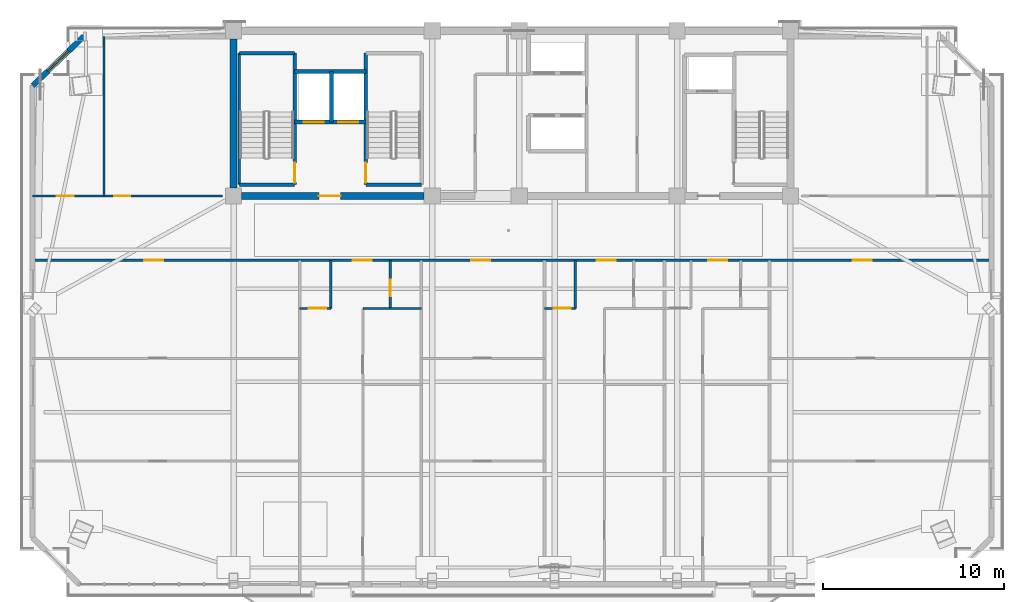
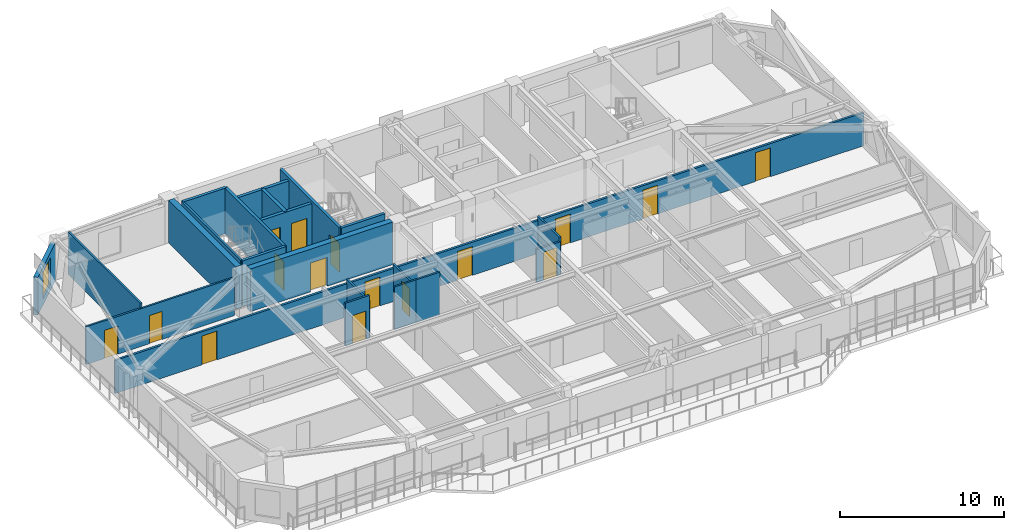
# One storey, part 9 of 18: 22 walls, 16 doors, 1 window, 17 openings.
"""IFC4 building model written with IfcOpenShell, lengths in metres."""

from ifc_helpers import new_model, si_unit, direction, frame, frame_2d, origin, place, context, subcontext, project, spatial, rectangle, extrude, source, transform, mapped, material, layer, layer_set, type_object, element, fill, save


model = new_model("IFC4")

# Units and contexts
model_context = context("Model", 3, precision=1e-05, world=origin(), true_north=direction((0.0, 1.0)))
body_context = subcontext(model_context, "Body", "Model", "MODEL_VIEW")
ifc_project = project(units=[si_unit("LENGTHUNIT", "METRE"), si_unit("AREAUNIT", "SQUARE_METRE"), si_unit("VOLUMEUNIT", "CUBIC_METRE"), si_unit("PLANEANGLEUNIT", "RADIAN"), si_unit("MASSUNIT", "GRAM", prefix="KILO")], contexts=[model_context])

# Site, building, storey
site_placement = place(None, origin())
site = spatial("IfcSite", under=ifc_project, at=site_placement, CompositionType="ELEMENT")
building_placement = place(site_placement, origin())
building = spatial("IfcBuilding", under=site, at=building_placement, Name="Giltprow Tower", CompositionType="ELEMENT")
storey_placement = place(building_placement, frame((0.0, 0.0, 265.5)))
storey = spatial("IfcBuildingStorey", under=building, at=storey_placement, Name="L68", CompositionType="ELEMENT", Elevation=265.5)

# Wall, opening, window
ifc_material_1 = material(Name="Precast concrete C40", Category="concrete")
ifc_layer_1 = layer(ifc_material_1, 0.300048828125, Name="Precast concrete C40")
ifc_layer_set_1 = layer_set([ifc_layer_1], Name="Precast concrete C40")
wall_type_1 = type_object("IfcWallType", Name="EW-NOTCH-CHAMFER-300", PredefinedType="SOLIDWALL", material=ifc_layer_set_1)
wall_1_placement = place(storey_placement, frame((11.597900390625, 46.25, 0.0), z_axis=(0.0, 0.0, 1.0), x_axis=(-0.719615137371, -0.694373137489, 0.0)))
wall_1 = element("IfcWall", 1, at=wall_1_placement, inside=storey, type_object=wall_type_1, Name="L68 Corner Notch Wall NW", PredefinedType="SOLIDWALL", context=body_context, shape_type="SweptSolid", body=[
    extrude(rectangle(XDim=3.917236328125, YDim=0.300048828125, at=frame_2d((1.95849609375, 0.0))), origin(), (0.0, 0.0, 1.0), 2.81494140625),
])
opening_1_placement = place(wall_1_placement, frame((1.158935546875, 0.0, 0.449951171875)))
opening_1 = element("IfcOpeningElement", 2, at=opening_1_placement, cuts=wall_1, Name="Opening WN17", PredefinedType="OPENING", context=body_context, shape_type="SweptSolid", body=[
    extrude(rectangle(XDim=1.60009765625, YDim=2.0, at=frame_2d((0.800048828125, 1.0))), frame((0.0, 0.159912109375, 0.0), z_axis=(0.0, -1.0, 0.0), x_axis=(1.0, 0.0, 0.0)), (0.0, 0.0, 1.0), 0.320068359375),
])
ifc_material_2 = material(Name="Insulated glass", Category="glass")
window_type = type_object("IfcWindowType", Name="WN-COR-1600x2000", PartitioningType="SINGLE_PANEL", PredefinedType="WINDOW", material=ifc_material_2)
shared_shape_1 = source(origin(), body_context, "Body", "SweptSolid", [
    extrude(rectangle(XDim=1.60009765625, YDim=2.0, at=frame_2d((0.800048828125, 1.0))), frame((0.0, 0.030029296875, 0.0), z_axis=(0.0, -1.0, 0.0), x_axis=(1.0, 0.0, 0.0)), (0.0, 0.0, 1.0), 0.06005859375),
])
window_placement = place(opening_1_placement, origin())
window = element("IfcWindow", 3, at=window_placement, inside=storey, type_object=window_type, Name="L68 Corner Notch Window NW", OverallHeight=2.0, OverallWidth=1.60009765625, PartitioningType="SINGLE_PANEL", PredefinedType="WINDOW", context=body_context, shape_type="MappedRepresentation", body=[
    mapped(shared_shape_1, transform((0.0, 0.0, 0.0), x_axis=(1.0, 0.0, 0.0), y_axis=(0.0, 1.0, 0.0), z_axis=(0.0, 0.0, 1.0), scale=1.0)),
])
fill(opening_1, window)

# Wall, openings, doors
ifc_material_3 = material(Name="Gypsum stud partition", Category="gypsum")
ifc_layer_2 = layer(ifc_material_3, 0.14990234375, Name="Gypsum stud partition")
ifc_layer_set_2 = layer_set([ifc_layer_2], Name="Gypsum stud partition")
wall_type_2 = type_object("IfcWallType", Name="IW-CORR-150", PredefinedType="PARTITIONING", material=ifc_layer_set_2)
wall_2_placement = place(storey_placement, frame((8.779052734375, 33.89990234375, 0.0), z_axis=(0.0, 0.0, 1.0), x_axis=(1.0, 0.0, 0.0)))
wall_2 = element("IfcWall", 4, at=wall_2_placement, inside=storey, type_object=wall_type_2, Name="L68 Residence Gallery Corridor Wall", PredefinedType="PARTITIONING", context=body_context, shape_type="SweptSolid", body=[
    extrude(rectangle(XDim=52.843017578125, YDim=0.14990234375, at=frame_2d((26.42138671875, 0.0))), origin(), (0.0, 0.0, 1.0), 2.469970703125),
])
opening_2_placement = place(wall_2_placement, frame((6.14404296875, 0.0, 0.0)))
opening_2 = element("IfcOpeningElement", 5, at=opening_2_placement, cuts=wall_2, Name="Opening ID31", PredefinedType="OPENING", context=body_context, shape_type="SweptSolid", body=[
    extrude(rectangle(XDim=1.050048828125, YDim=2.14990234375, at=frame_2d((0.52490234375, 1.074951171875))), frame((0.0, 0.0849609375, 0.0), z_axis=(0.0, -1.0, 0.0), x_axis=(1.0, 0.0, 0.0)), (0.0, 0.0, 1.0), 0.169921875),
])
opening_3_placement = place(wall_2_placement, frame((17.64599609375, 0.0, 0.0)))
opening_3 = element("IfcOpeningElement", 6, at=opening_3_placement, cuts=wall_2, Name="Opening ID31", PredefinedType="OPENING", context=body_context, shape_type="SweptSolid", body=[
    extrude(rectangle(XDim=1.050048828125, YDim=2.14990234375, at=frame_2d((0.52490234375, 1.074951171875))), frame((0.0, 0.0849609375, 0.0), z_axis=(0.0, -1.0, 0.0), x_axis=(1.0, 0.0, 0.0)), (0.0, 0.0, 1.0), 0.169921875),
])
opening_4_placement = place(wall_2_placement, frame((24.174072265625, 0.0, 0.0)))
opening_4 = element("IfcOpeningElement", 7, at=opening_4_placement, cuts=wall_2, Name="Opening ID31", PredefinedType="OPENING", context=body_context, shape_type="SweptSolid", body=[
    extrude(rectangle(XDim=1.050048828125, YDim=2.14990234375, at=frame_2d((0.52490234375, 1.074951171875))), frame((0.0, 0.0849609375, 0.0), z_axis=(0.0, -1.0, 0.0), x_axis=(1.0, 0.0, 0.0)), (0.0, 0.0, 1.0), 0.169921875),
])
opening_5_placement = place(wall_2_placement, frame((31.095947265625, 0.0, 0.0)))
opening_5 = element("IfcOpeningElement", 8, at=opening_5_placement, cuts=wall_2, Name="Opening ID31", PredefinedType="OPENING", context=body_context, shape_type="SweptSolid", body=[
    extrude(rectangle(XDim=1.050048828125, YDim=2.14990234375, at=frame_2d((0.52490234375, 1.074951171875))), frame((0.0, 0.0849609375, 0.0), z_axis=(0.0, -1.0, 0.0), x_axis=(1.0, 0.0, 0.0)), (0.0, 0.0, 1.0), 0.169921875),
])
opening_6_placement = place(wall_2_placement, frame((37.240966796875, 0.0, 0.0)))
opening_6 = element("IfcOpeningElement", 9, at=opening_6_placement, cuts=wall_2, Name="Opening ID31", PredefinedType="OPENING", context=body_context, shape_type="SweptSolid", body=[
    extrude(rectangle(XDim=1.050048828125, YDim=2.14990234375, at=frame_2d((0.52490234375, 1.074951171875))), frame((0.0, 0.0849609375, 0.0), z_axis=(0.0, -1.0, 0.0), x_axis=(1.0, 0.0, 0.0)), (0.0, 0.0, 1.0), 0.169921875),
])
opening_7_placement = place(wall_2_placement, frame((45.200927734375, 0.0, 0.0)))
opening_7 = element("IfcOpeningElement", 10, at=opening_7_placement, cuts=wall_2, Name="Opening ID31", PredefinedType="OPENING", context=body_context, shape_type="SweptSolid", body=[
    extrude(rectangle(XDim=1.050048828125, YDim=2.14990234375, at=frame_2d((0.52490234375, 1.074951171875))), frame((0.0, 0.0849609375, 0.0), z_axis=(0.0, -1.0, 0.0), x_axis=(1.0, 0.0, 0.0)), (0.0, 0.0, 1.0), 0.169921875),
])
ifc_material_4 = material(Name="Engineered timber", Category="wood")
door_type_1 = type_object("IfcDoorType", Name="DR-SUITE-1050", OperationType="SINGLE_SWING_LEFT", PredefinedType="DOOR", material=ifc_material_4)
shared_shape_2 = source(origin(), body_context, "Body", "SweptSolid", [
    extrude(rectangle(XDim=1.050048828125, YDim=2.14990234375, at=frame_2d((0.52490234375, 1.074951171875))), frame((0.0, 0.02490234375, 0.0), z_axis=(0.0, -1.0, 0.0), x_axis=(1.0, 0.0, 0.0)), (0.0, 0.0, 1.0), 0.050048828125),
])
door_1_placement = place(opening_2_placement, origin())
door_1 = element("IfcDoor", 11, at=door_1_placement, inside=storey, type_object=door_type_1, Name="L68 Residents Board Meeting Room 1 North Door", OperationType="SINGLE_SWING_RIGHT", OverallHeight=2.14990234375, OverallWidth=1.050048828125, PredefinedType="DOOR", context=body_context, shape_type="MappedRepresentation", body=[
    mapped(shared_shape_2, transform((0.0, 0.0, 0.0), x_axis=(1.0, 0.0, 0.0), y_axis=(0.0, 1.0, 0.0), z_axis=(0.0, 0.0, 1.0), scale=1.0)),
])
fill(opening_2, door_1)
door_2_placement = place(opening_3_placement, origin())
door_2 = element("IfcDoor", 12, at=door_2_placement, inside=storey, type_object=door_type_1, Name="L68 Unit 1 Entrance Door", OperationType="SINGLE_SWING_LEFT", OverallHeight=2.14990234375, OverallWidth=1.050048828125, PredefinedType="DOOR", context=body_context, shape_type="MappedRepresentation", body=[
    mapped(shared_shape_2, transform((0.0, 0.0, 0.0), x_axis=(1.0, 0.0, 0.0), y_axis=(0.0, 1.0, 0.0), z_axis=(0.0, 0.0, 1.0), scale=1.0)),
])
fill(opening_3, door_2)
door_3_placement = place(opening_4_placement, origin())
door_3 = element("IfcDoor", 13, at=door_3_placement, inside=storey, type_object=door_type_1, Name="L68 Briefing Meeting Room 2 North Door", OperationType="SINGLE_SWING_RIGHT", OverallHeight=2.14990234375, OverallWidth=1.050048828125, PredefinedType="DOOR", context=body_context, shape_type="MappedRepresentation", body=[
    mapped(shared_shape_2, transform((0.0, 0.0, 0.0), x_axis=(1.0, 0.0, 0.0), y_axis=(0.0, 1.0, 0.0), z_axis=(0.0, 0.0, 1.0), scale=1.0)),
])
fill(opening_4, door_3)
door_4_placement = place(opening_5_placement, origin())
door_4 = element("IfcDoor", 14, at=door_4_placement, inside=storey, type_object=door_type_1, Name="L68 Unit 2 Entrance Door", OperationType="SINGLE_SWING_LEFT", OverallHeight=2.14990234375, OverallWidth=1.050048828125, PredefinedType="DOOR", context=body_context, shape_type="MappedRepresentation", body=[
    mapped(shared_shape_2, transform((0.0, 0.0, 0.0), x_axis=(1.0, 0.0, 0.0), y_axis=(0.0, 1.0, 0.0), z_axis=(0.0, 0.0, 1.0), scale=1.0)),
])
fill(opening_5, door_4)
door_5_placement = place(opening_6_placement, origin())
door_5 = element("IfcDoor", 15, at=door_5_placement, inside=storey, type_object=door_type_1, Name="L68 Unit 3 Entrance Door", OperationType="SINGLE_SWING_RIGHT", OverallHeight=2.14990234375, OverallWidth=1.050048828125, PredefinedType="DOOR", context=body_context, shape_type="MappedRepresentation", body=[
    mapped(shared_shape_2, transform((0.0, 0.0, 0.0), x_axis=(1.0, 0.0, 0.0), y_axis=(0.0, 1.0, 0.0), z_axis=(0.0, 0.0, 1.0), scale=1.0)),
])
fill(opening_6, door_5)
door_6_placement = place(opening_7_placement, origin())
door_6 = element("IfcDoor", 16, at=door_6_placement, inside=storey, type_object=door_type_1, Name="L68 Screening Meeting Room 3 North Door", OperationType="SINGLE_SWING_LEFT", OverallHeight=2.14990234375, OverallWidth=1.050048828125, PredefinedType="DOOR", context=body_context, shape_type="MappedRepresentation", body=[
    mapped(shared_shape_2, transform((0.0, 0.0, 0.0), x_axis=(1.0, 0.0, 0.0), y_axis=(0.0, 1.0, 0.0), z_axis=(0.0, 0.0, 1.0), scale=1.0)),
])
fill(opening_7, door_6)

# Wall
ifc_layer_3 = layer(ifc_material_3, 0.1201171875, Name="Gypsum stud partition")
ifc_layer_set_3 = layer_set([ifc_layer_3], Name="Gypsum stud partition")
wall_type_3 = type_object("IfcWallType", Name="IW-ROOM-120", PredefinedType="PARTITIONING", material=ifc_layer_set_3)
wall_3_placement = place(storey_placement, frame((26.97998046875, 31.25, 0.0), z_axis=(0.0, 0.0, 1.0), x_axis=(1.0, 0.0, 0.0)))
element("IfcWall", 17, at=wall_3_placement, inside=storey, type_object=wall_type_3, Name="L68 Unit 1 Bedroom North Wall", PredefinedType="PARTITIONING", context=body_context, shape_type="SweptSolid", body=[
    extrude(rectangle(XDim=1.505126953125, YDim=0.1201171875, at=frame_2d((0.75244140625, 0.0))), origin(), (0.0, 0.0, 1.0), 3.18505859375),
])

# Wall, openings, doors
ifc_material_5 = material(Name="Concrete C40", Category="concrete")
ifc_layer_4 = layer(ifc_material_5, 0.219970703125, Name="Concrete C40")
ifc_layer_set_4 = layer_set([ifc_layer_4], Name="Concrete C40")
wall_type_4 = type_object("IfcWallType", Name="IW-SHAFT-220", PredefinedType="SOLIDWALL", material=ifc_layer_set_4)
wall_4_placement = place(storey_placement, frame((23.219970703125, 41.52001953125, 0.0), z_axis=(0.0, 0.0, 1.0), x_axis=(1.0, 0.0, 0.0)))
wall_4 = element("IfcWall", 18, at=wall_4_placement, inside=storey, type_object=wall_type_4, Name="L68 FFL1 and Service Lift Front Wall", PredefinedType="SOLIDWALL", context=body_context, shape_type="SweptSolid", body=[
    extrude(rectangle(XDim=3.919921875, YDim=0.219970703125, at=frame_2d((1.9599609375, 0.0))), origin(), (0.0, 0.0, 1.0), 3.18505859375),
])
opening_8_placement = place(wall_4_placement, frame((0.5, 0.0, 0.0)))
opening_8 = element("IfcOpeningElement", 19, at=opening_8_placement, cuts=wall_4, Name="Opening LD-11", PredefinedType="OPENING", context=body_context, shape_type="SweptSolid", body=[
    extrude(rectangle(XDim=1.10009765625, YDim=2.199951171875, at=frame_2d((0.550048828125, 1.10009765625))), frame((0.0, 0.119873046875, 0.0), z_axis=(0.0, -1.0, 0.0), x_axis=(1.0, 0.0, 0.0)), (0.0, 0.0, 1.0), 0.239990234375),
])
opening_9_placement = place(wall_4_placement, frame((2.39990234375, 0.0, 0.0)))
opening_9 = element("IfcOpeningElement", 20, at=opening_9_placement, cuts=wall_4, Name="Opening LD-11", PredefinedType="OPENING", context=body_context, shape_type="SweptSolid", body=[
    extrude(rectangle(XDim=1.10009765625, YDim=2.199951171875, at=frame_2d((0.550048828125, 1.10009765625))), frame((0.0, 0.119873046875, 0.0), z_axis=(0.0, -1.0, 0.0), x_axis=(1.0, 0.0, 0.0)), (0.0, 0.0, 1.0), 0.239990234375),
])
ifc_material_6 = material(Name="Stainless steel", Category="steel")
door_type_2 = type_object("IfcDoorType", Name="DR-LIFT-LD1100", OperationType="SLIDING_TO_LEFT", PredefinedType="DOOR", material=ifc_material_6)
shared_shape_3 = source(origin(), body_context, "Body", "SweptSolid", [
    extrude(rectangle(XDim=1.10009765625, YDim=2.199951171875, at=frame_2d((0.550048828125, 1.10009765625))), frame((0.0, 0.02490234375, 0.0), z_axis=(0.0, -1.0, 0.0), x_axis=(1.0, 0.0, 0.0)), (0.0, 0.0, 1.0), 0.050048828125),
])
door_7_placement = place(opening_8_placement, origin())
door_7 = element("IfcDoor", 21, at=door_7_placement, inside=storey, type_object=door_type_2, Name="L68 FFL1 Landing Door", OperationType="SLIDING_TO_LEFT", OverallHeight=2.199951171875, OverallWidth=1.10009765625, PredefinedType="DOOR", context=body_context, shape_type="MappedRepresentation", body=[
    mapped(shared_shape_3, transform((0.0, 0.0, 0.0), x_axis=(1.0, 0.0, 0.0), y_axis=(0.0, 1.0, 0.0), z_axis=(0.0, 0.0, 1.0), scale=1.0)),
])
fill(opening_8, door_7)
door_8_placement = place(opening_9_placement, origin())
door_8 = element("IfcDoor", 22, at=door_8_placement, inside=storey, type_object=door_type_2, Name="L68 SVL1 Landing Door", OperationType="SLIDING_TO_LEFT", OverallHeight=2.199951171875, OverallWidth=1.10009765625, PredefinedType="DOOR", context=body_context, shape_type="MappedRepresentation", body=[
    mapped(shared_shape_3, transform((0.0, 0.0, 0.0), x_axis=(1.0, 0.0, 0.0), y_axis=(0.0, 1.0, 0.0), z_axis=(0.0, 0.0, 1.0), scale=1.0)),
])
fill(opening_9, door_8)

# Walls
wall_5_placement = place(storey_placement, frame((25.260009765625, 41.52001953125, 0.0), z_axis=(0.0, 0.0, 1.0), x_axis=(0.0, 1.0, 0.0)))
element("IfcWall", 23, at=wall_5_placement, inside=storey, type_object=wall_type_4, Name="L68 FFL1-SVL1 Shaft Divider", PredefinedType="SOLIDWALL", context=body_context, shape_type="SweptSolid", body=[
    extrude(rectangle(XDim=2.800048828125, YDim=0.219970703125, at=frame_2d((1.39990234375, 0.0))), origin(), (0.0, 0.0, 1.0), 3.18505859375),
])
wall_6_placement = place(storey_placement, frame((23.219970703125, 44.320068359375, 0.0), z_axis=(0.0, 0.0, 1.0), x_axis=(1.0, 0.0, 0.0)))
element("IfcWall", 24, at=wall_6_placement, inside=storey, type_object=wall_type_4, Name="L68 FFL1-SVL1 Back Shaft Wall", PredefinedType="SOLIDWALL", context=body_context, shape_type="SweptSolid", body=[
    extrude(rectangle(XDim=3.919921875, YDim=0.219970703125, at=frame_2d((1.9599609375, 0.0))), origin(), (0.0, 0.0, 1.0), 3.18505859375),
])
ifc_material_7 = material(Name="Concrete C45", Category="concrete")
ifc_layer_5 = layer(ifc_material_7, 0.139892578125, Name="Concrete C45")
ifc_layer_set_5 = layer_set([ifc_layer_5], Name="Concrete C45")
wall_type_5 = type_object("IfcWallType", Name="IW-STAIR-140", PredefinedType="SOLIDWALL", material=ifc_layer_set_5)
wall_7_placement = place(storey_placement, frame((20.169921875, 38.070068359375, 0.0), z_axis=(0.0, 0.0, 1.0), x_axis=(0.0, 1.0, 0.0)))
element("IfcWall", 25, at=wall_7_placement, inside=storey, type_object=wall_type_5, Name="L68 Stair ST-1 West Bearing Wall", PredefinedType="SOLIDWALL", context=body_context, shape_type="SweptSolid", body=[
    extrude(rectangle(XDim=7.25, YDim=0.139892578125, at=frame_2d((3.625, 0.0))), origin(), (0.0, 0.0, 1.0), 3.39990234375),
])

# Wall, opening, door
ifc_layer_6 = layer(ifc_material_5, 0.199951171875, Name="Concrete C40")
ifc_layer_set_6 = layer_set([ifc_layer_6], Name="Concrete C40")
wall_type_6 = type_object("IfcWallType", Name="IW-STAIR-200", PredefinedType="SOLIDWALL", material=ifc_layer_set_6)
wall_8_placement = place(storey_placement, frame((23.219970703125, 38.070068359375, 0.0), z_axis=(0.0, 0.0, 1.0), x_axis=(0.0, 1.0, 0.0)))
wall_8 = element("IfcWall", 26, at=wall_8_placement, inside=storey, type_object=wall_type_6, Name="L68 Stair ST-1 East Bearing Wall", PredefinedType="SOLIDWALL", context=body_context, shape_type="SweptSolid", body=[
    extrude(rectangle(XDim=7.25, YDim=0.199951171875, at=frame_2d((3.625, 0.0))), origin(), (0.0, 0.0, 1.0), 3.39990234375),
])
opening_10_placement = place(wall_8_placement, frame((0.110107421875, 0.0, 0.0)))
opening_10 = element("IfcOpeningElement", 27, at=opening_10_placement, cuts=wall_8, Name="Opening ID33", PredefinedType="OPENING", context=body_context, shape_type="SweptSolid", body=[
    extrude(rectangle(XDim=1.10009765625, YDim=2.14990234375, at=frame_2d((0.550048828125, 1.074951171875))), frame((0.0, 0.10986328125, 0.0), z_axis=(0.0, -1.0, 0.0), x_axis=(1.0, 0.0, 0.0)), (0.0, 0.0, 1.0), 0.219970703125),
])
ifc_material_8 = material(Name="Steel fire leaf", Category="steel")
door_type_3 = type_object("IfcDoorType", Name="DR-STAIR-1100", OperationType="SINGLE_SWING_LEFT", PredefinedType="DOOR", material=ifc_material_8)
shared_shape_4 = source(origin(), body_context, "Body", "SweptSolid", [
    extrude(rectangle(XDim=1.10009765625, YDim=2.14990234375, at=frame_2d((0.550048828125, 1.074951171875))), frame((0.0, 0.02490234375, 0.0), z_axis=(0.0, -1.0, 0.0), x_axis=(1.0, 0.0, 0.0)), (0.0, 0.0, 1.0), 0.050048828125),
])
door_9_placement = place(opening_10_placement, origin())
door_9 = element("IfcDoor", 28, at=door_9_placement, inside=storey, type_object=door_type_3, Name="L68 Stair ST-1 Fire Door", OperationType="SINGLE_SWING_RIGHT", OverallHeight=2.14990234375, OverallWidth=1.10009765625, PredefinedType="DOOR", context=body_context, shape_type="MappedRepresentation", body=[
    mapped(shared_shape_4, transform((0.0, 0.0, 0.0), x_axis=(1.0, 0.0, 0.0), y_axis=(0.0, 1.0, 0.0), z_axis=(0.0, 0.0, 1.0), scale=1.0)),
])
fill(opening_10, door_9)

# Walls
for number, where, z_axis, x_axis, name in (
    (29, (20.169921875, 45.320068359375, 0.0), (0.0, 0.0, 1.0), (1.0, 0.0, 0.0), "L68 Stair ST-1 North Bearing Wall"),
    (30, (20.169921875, 38.070068359375, 0.0), (0.0, 0.0, 1.0), (1.0, 0.0, 0.0), "L68 Stair ST-1 South Bearing Wall"),
):
    element("IfcWall", number, at=place(storey_placement, frame(where, z_axis=z_axis, x_axis=x_axis)), inside=storey, type_object=wall_type_6, Name=name, PredefinedType="SOLIDWALL", context=body_context, shape_type="SweptSolid", body=[
        extrude(rectangle(XDim=3.050048828125, YDim=0.199951171875, at=frame_2d((1.52490234375, 0.0))), origin(), (0.0, 0.0, 1.0), 3.39990234375),
    ])

# Wall, opening, door
wall_9_placement = place(storey_placement, frame((27.139892578125, 38.070068359375, 0.0), z_axis=(0.0, 0.0, 1.0), x_axis=(0.0, 1.0, 0.0)))
wall_9 = element("IfcWall", 31, at=wall_9_placement, inside=storey, type_object=wall_type_6, Name="L68 Stair ST-2 West Bearing Wall", PredefinedType="SOLIDWALL", context=body_context, shape_type="SweptSolid", body=[
    extrude(rectangle(XDim=7.25, YDim=0.199951171875, at=frame_2d((3.625, 0.0))), origin(), (0.0, 0.0, 1.0), 3.39990234375),
])
opening_11_placement = place(wall_9_placement, frame((0.110107421875, 0.0, 0.0)))
opening_11 = element("IfcOpeningElement", 32, at=opening_11_placement, cuts=wall_9, Name="Opening ID33", PredefinedType="OPENING", context=body_context, shape_type="SweptSolid", body=[
    extrude(rectangle(XDim=1.10009765625, YDim=2.14990234375, at=frame_2d((0.550048828125, 1.074951171875))), frame((0.0, 0.10986328125, 0.0), z_axis=(0.0, -1.0, 0.0), x_axis=(1.0, 0.0, 0.0)), (0.0, 0.0, 1.0), 0.219970703125),
])
door_10_placement = place(opening_11_placement, origin())
door_10 = element("IfcDoor", 33, at=door_10_placement, inside=storey, type_object=door_type_3, Name="L68 Stair ST-2 Fire Door", OperationType="SINGLE_SWING_LEFT", OverallHeight=2.14990234375, OverallWidth=1.10009765625, PredefinedType="DOOR", context=body_context, shape_type="MappedRepresentation", body=[
    mapped(shared_shape_4, transform((0.0, 0.0, 0.0), x_axis=(1.0, 0.0, 0.0), y_axis=(0.0, 1.0, 0.0), z_axis=(0.0, 0.0, 1.0), scale=1.0)),
])
fill(opening_11, door_10)

# Wall
wall_10_placement = place(storey_placement, frame((27.139892578125, 38.070068359375, 0.0), z_axis=(0.0, 0.0, 1.0), x_axis=(1.0, 0.0, 0.0)))
element("IfcWall", 34, at=wall_10_placement, inside=storey, type_object=wall_type_6, Name="L68 Stair ST-2 South Bearing Wall", PredefinedType="SOLIDWALL", context=body_context, shape_type="SweptSolid", body=[
    extrude(rectangle(XDim=3.080078125, YDim=0.199951171875, at=frame_2d((1.5400390625, 0.0))), origin(), (0.0, 0.0, 1.0), 3.39990234375),
])

# Wall, opening, door
ifc_material_9 = material(Name="Concrete C30", Category="concrete")
ifc_layer_7 = layer(ifc_material_9, 0.1298828125, Name="Concrete C30")
ifc_layer_set_7 = layer_set([ifc_layer_7], Name="Concrete C30")
wall_type_7 = type_object("IfcWallType", Name="IW-WET-130", PredefinedType="PARTITIONING", material=ifc_layer_set_7)
wall_11_placement = place(storey_placement, frame((23.5, 31.25, 0.0), z_axis=(0.0, 0.0, 1.0), x_axis=(1.0, 0.0, 0.0)))
wall_11 = element("IfcWall", 35, at=wall_11_placement, inside=storey, type_object=wall_type_7, Name="L68 Unit 1 Kitchen South Wall", PredefinedType="PARTITIONING", context=body_context, shape_type="SweptSolid", body=[
    extrude(rectangle(XDim=1.715087890625, YDim=0.1298828125, at=frame_2d((0.857421875, 0.0))), origin(), (0.0, 0.0, 1.0), 3.18505859375),
])
opening_12_placement = place(wall_11_placement, frame((0.5029296875, 0.0, 0.0)))
opening_12 = element("IfcOpeningElement", 36, at=opening_12_placement, cuts=wall_11, Name="Opening ID11", PredefinedType="OPENING", context=body_context, shape_type="SweptSolid", body=[
    extrude(rectangle(XDim=0.949951171875, YDim=2.10009765625, at=frame_2d((0.47509765625, 1.050048828125))), frame((0.0, 0.074951171875, 0.0), z_axis=(0.0, -1.0, 0.0), x_axis=(1.0, 0.0, 0.0)), (0.0, 0.0, 1.0), 0.14990234375),
])
door_type_4 = type_object("IfcDoorType", Name="DR-ROOM-950", OperationType="SINGLE_SWING_RIGHT", PredefinedType="DOOR", material=ifc_material_4)
shared_shape_5 = source(origin(), body_context, "Body", "SweptSolid", [
    extrude(rectangle(XDim=0.949951171875, YDim=2.10009765625, at=frame_2d((0.47509765625, 1.050048828125))), frame((0.0, 0.02490234375, 0.0), z_axis=(0.0, -1.0, 0.0), x_axis=(1.0, 0.0, 0.0)), (0.0, 0.0, 1.0), 0.050048828125),
])
door_11_placement = place(opening_12_placement, origin())
door_11 = element("IfcDoor", 37, at=door_11_placement, inside=storey, type_object=door_type_4, Name="L68 Unit 1 Kitchen Door", OperationType="SINGLE_SWING_RIGHT", OverallHeight=2.10009765625, OverallWidth=0.949951171875, PredefinedType="DOOR", context=body_context, shape_type="MappedRepresentation", body=[
    mapped(shared_shape_5, transform((0.0, 0.0, 0.0), x_axis=(1.0, 0.0, 0.0), y_axis=(0.0, 1.0, 0.0), z_axis=(0.0, 0.0, 1.0), scale=1.0)),
])
fill(opening_12, door_11)

# Walls
wall_12_placement = place(storey_placement, frame((25.215087890625, 31.25, 0.0), z_axis=(0.0, 0.0, 1.0), x_axis=(0.0, 1.0, 0.0)))
element("IfcWall", 38, at=wall_12_placement, inside=storey, type_object=wall_type_7, Name="L68 Unit 1 Kitchen East Wall", PredefinedType="PARTITIONING", context=body_context, shape_type="SweptSolid", body=[
    extrude(rectangle(XDim=2.64990234375, YDim=0.1298828125, at=frame_2d((1.324951171875, 0.0))), origin(), (0.0, 0.0, 1.0), 2.77001953125),
])
wall_13_placement = place(storey_placement, frame((28.485107421875, 31.25, 0.0), z_axis=(0.0, 0.0, 1.0), x_axis=(1.0, 0.0, 0.0)))
element("IfcWall", 39, at=wall_13_placement, inside=storey, type_object=wall_type_7, Name="L68 Unit 1 Bathroom South Wall", PredefinedType="PARTITIONING", context=body_context, shape_type="SweptSolid", body=[
    extrude(rectangle(XDim=1.71484375, YDim=0.1298828125, at=frame_2d((0.857421875, 0.0))), origin(), (0.0, 0.0, 1.0), 3.18505859375),
])

# Wall, opening, door
wall_14_placement = place(storey_placement, frame((28.485107421875, 31.25, 0.0), z_axis=(0.0, 0.0, 1.0), x_axis=(0.0, 1.0, 0.0)))
wall_14 = element("IfcWall", 40, at=wall_14_placement, inside=storey, type_object=wall_type_7, Name="L68 Unit 1 Bathroom West Wall", PredefinedType="PARTITIONING", context=body_context, shape_type="SweptSolid", body=[
    extrude(rectangle(XDim=2.64990234375, YDim=0.1298828125, at=frame_2d((1.324951171875, 0.0))), origin(), (0.0, 0.0, 1.0), 2.77001953125),
])
opening_13_placement = place(wall_14_placement, frame((0.669921875, 0.0, 0.0)))
opening_13 = element("IfcOpeningElement", 41, at=opening_13_placement, cuts=wall_14, Name="Opening ID15", PredefinedType="OPENING", context=body_context, shape_type="SweptSolid", body=[
    extrude(rectangle(XDim=0.89990234375, YDim=2.10009765625, at=frame_2d((0.449951171875, 1.050048828125))), frame((0.0, 0.074951171875, 0.0), z_axis=(0.0, -1.0, 0.0), x_axis=(1.0, 0.0, 0.0)), (0.0, 0.0, 1.0), 0.14990234375),
])
door_type_5 = type_object("IfcDoorType", Name="DR-WC-900", OperationType="SINGLE_SWING_LEFT", PredefinedType="DOOR", material=ifc_material_4)
shared_shape_6 = source(origin(), body_context, "Body", "SweptSolid", [
    extrude(rectangle(XDim=0.89990234375, YDim=2.10009765625, at=frame_2d((0.449951171875, 1.050048828125))), frame((0.0, 0.02490234375, 0.0), z_axis=(0.0, -1.0, 0.0), x_axis=(1.0, 0.0, 0.0)), (0.0, 0.0, 1.0), 0.050048828125),
])
door_12_placement = place(opening_13_placement, origin())
door_12 = element("IfcDoor", 42, at=door_12_placement, inside=storey, type_object=door_type_5, Name="L68 Unit 1 Bathroom Door", OperationType="SINGLE_SWING_LEFT", OverallHeight=2.10009765625, OverallWidth=0.89990234375, PredefinedType="DOOR", context=body_context, shape_type="MappedRepresentation", body=[
    mapped(shared_shape_6, transform((0.0, 0.0, 0.0), x_axis=(1.0, 0.0, 0.0), y_axis=(0.0, 1.0, 0.0), z_axis=(0.0, 0.0, 1.0), scale=1.0)),
])
fill(opening_13, door_12)

wall_15_placement = place(storey_placement, frame((37.0, 31.25, 0.0), z_axis=(0.0, 0.0, 1.0), x_axis=(1.0, 0.0, 0.0)))
wall_15 = element("IfcWall", 43, at=wall_15_placement, inside=storey, type_object=wall_type_7, Name="L68 Unit 2 Kitchen South Wall", PredefinedType="PARTITIONING", context=body_context, shape_type="SweptSolid", body=[
    extrude(rectangle(XDim=1.68994140625, YDim=0.1298828125, at=frame_2d((0.844970703125, 0.0))), origin(), (0.0, 0.0, 1.0), 2.469970703125),
])
opening_14_placement = place(wall_15_placement, frame((0.489990234375, 0.0, 0.0)))
opening_14 = element("IfcOpeningElement", 44, at=opening_14_placement, cuts=wall_15, Name="Opening ID11", PredefinedType="OPENING", context=body_context, shape_type="SweptSolid", body=[
    extrude(rectangle(XDim=0.949951171875, YDim=2.10009765625, at=frame_2d((0.47509765625, 1.050048828125))), frame((0.0, 0.074951171875, 0.0), z_axis=(0.0, -1.0, 0.0), x_axis=(1.0, 0.0, 0.0)), (0.0, 0.0, 1.0), 0.14990234375),
])
door_13_placement = place(opening_14_placement, origin())
door_13 = element("IfcDoor", 45, at=door_13_placement, inside=storey, type_object=door_type_4, Name="L68 Unit 2 Kitchen Door", OperationType="SINGLE_SWING_RIGHT", OverallHeight=2.10009765625, OverallWidth=0.949951171875, PredefinedType="DOOR", context=body_context, shape_type="MappedRepresentation", body=[
    mapped(shared_shape_5, transform((0.0, 0.0, 0.0), x_axis=(1.0, 0.0, 0.0), y_axis=(0.0, 1.0, 0.0), z_axis=(0.0, 0.0, 1.0), scale=1.0)),
])
fill(opening_14, door_13)

# Wall
wall_16_placement = place(storey_placement, frame((38.68994140625, 31.25, 0.0), z_axis=(0.0, 0.0, 1.0), x_axis=(0.0, 1.0, 0.0)))
element("IfcWall", 46, at=wall_16_placement, inside=storey, type_object=wall_type_7, Name="L68 Unit 2 Kitchen East Wall", PredefinedType="PARTITIONING", context=body_context, shape_type="SweptSolid", body=[
    extrude(rectangle(XDim=2.64990234375, YDim=0.1298828125, at=frame_2d((1.324951171875, 0.0))), origin(), (0.0, 0.0, 1.0), 2.77001953125),
])

# Wall, openings, doors
wall_17_placement = place(storey_placement, frame((8.779052734375, 37.449951171875, 0.0), z_axis=(0.0, 0.0, 1.0), x_axis=(1.0, 0.0, 0.0)))
wall_17 = element("IfcWall", 47, at=wall_17_placement, inside=storey, type_object=wall_type_7, Name="L68 NW Wing South Wall", PredefinedType="PARTITIONING", context=body_context, shape_type="SweptSolid", body=[
    extrude(rectangle(XDim=10.470947265625, YDim=0.1298828125, at=frame_2d((5.2353515625, 0.0))), origin(), (0.0, 0.0, 1.0), 2.820068359375),
])
opening_15_placement = place(wall_17_placement, frame((1.31494140625, 0.0, 0.0)))
opening_15 = element("IfcOpeningElement", 48, at=opening_15_placement, cuts=wall_17, Name="Opening ID11", PredefinedType="OPENING", context=body_context, shape_type="SweptSolid", body=[
    extrude(rectangle(XDim=0.949951171875, YDim=2.10009765625, at=frame_2d((0.47509765625, 1.050048828125))), frame((0.0, 0.074951171875, 0.0), z_axis=(0.0, -1.0, 0.0), x_axis=(1.0, 0.0, 0.0)), (0.0, 0.0, 1.0), 0.14990234375),
])
opening_16_placement = place(wall_17_placement, frame((4.48193359375, 0.0, 0.0)))
opening_16 = element("IfcOpeningElement", 49, at=opening_16_placement, cuts=wall_17, Name="Opening ID15", PredefinedType="OPENING", context=body_context, shape_type="SweptSolid", body=[
    extrude(rectangle(XDim=0.89990234375, YDim=2.10009765625, at=frame_2d((0.449951171875, 1.050048828125))), frame((0.0, 0.074951171875, 0.0), z_axis=(0.0, -1.0, 0.0), x_axis=(1.0, 0.0, 0.0)), (0.0, 0.0, 1.0), 0.14990234375),
])
door_14_placement = place(opening_16_placement, origin())
door_14 = element("IfcDoor", 50, at=door_14_placement, inside=storey, type_object=door_type_5, Name="L68 NW Washroom Door", OperationType="SINGLE_SWING_LEFT", OverallHeight=2.10009765625, OverallWidth=0.89990234375, PredefinedType="DOOR", context=body_context, shape_type="MappedRepresentation", body=[
    mapped(shared_shape_6, transform((0.0, 0.0, 0.0), x_axis=(1.0, 0.0, 0.0), y_axis=(0.0, 1.0, 0.0), z_axis=(0.0, 0.0, 1.0), scale=1.0)),
])
fill(opening_16, door_14)
door_15_placement = place(opening_15_placement, origin())
door_15 = element("IfcDoor", 51, at=door_15_placement, inside=storey, type_object=door_type_4, Name="L68 Residents Study Office West Door", OperationType="SINGLE_SWING_RIGHT", OverallHeight=2.10009765625, OverallWidth=0.949951171875, PredefinedType="DOOR", context=body_context, shape_type="MappedRepresentation", body=[
    mapped(shared_shape_5, transform((0.0, 0.0, 0.0), x_axis=(1.0, 0.0, 0.0), y_axis=(0.0, 1.0, 0.0), z_axis=(0.0, 0.0, 1.0), scale=1.0)),
])
fill(opening_15, door_15)

# Wall
wall_18_placement = place(storey_placement, frame((12.7109375, 37.449951171875, 0.0), z_axis=(0.0, 0.0, 1.0), x_axis=(0.0, 1.0, 0.0)))
element("IfcWall", 52, at=wall_18_placement, inside=storey, type_object=wall_type_7, Name="L68 NW Wing Divider", PredefinedType="PARTITIONING", context=body_context, shape_type="SweptSolid", body=[
    extrude(rectangle(XDim=8.800048828125, YDim=0.1298828125, at=frame_2d((4.39990234375, 0.0))), origin(), (0.0, 0.0, 1.0), 3.18505859375),
])

# Wall, opening, door
ifc_layer_8 = layer(ifc_material_7, 0.39990234375, Name="Concrete C45")
ifc_layer_set_8 = layer_set([ifc_layer_8], Name="Concrete C45")
wall_type_8 = type_object("IfcWallType", Name="SW-INT-400-C45", PredefinedType="SHEAR", material=ifc_layer_set_8)
wall_19_placement = place(storey_placement, frame((20.300048828125, 37.449951171875, 0.0), z_axis=(0.0, 0.0, 1.0), x_axis=(1.0, 0.0, 0.0)))
wall_19 = element("IfcWall", 53, at=wall_19_placement, inside=storey, type_object=wall_type_8, Name="L68 South Rear Core Shear Wall West", PredefinedType="SHEAR", context=body_context, shape_type="SweptSolid", body=[
    extrude(rectangle(XDim=10.050048828125, YDim=0.39990234375, at=frame_2d((5.02490234375, 0.0))), origin(), (0.0, 0.0, 1.0), 3.18505859375),
])
opening_17_placement = place(wall_19_placement, frame((4.25, 0.0, 0.0)))
opening_17 = element("IfcOpeningElement", 54, at=opening_17_placement, cuts=wall_19, Name="Opening ID19", PredefinedType="OPENING", context=body_context, shape_type="SweptSolid", body=[
    extrude(rectangle(XDim=1.199951171875, YDim=2.14990234375, at=frame_2d((0.60009765625, 1.074951171875))), frame((0.0, 0.2099609375, 0.0), z_axis=(0.0, -1.0, 0.0), x_axis=(1.0, 0.0, 0.0)), (0.0, 0.0, 1.0), 0.419921875),
])
door_type_6 = type_object("IfcDoorType", Name="DR-FFLOBBY-1200", OperationType="SINGLE_SWING_RIGHT", PredefinedType="DOOR", material=ifc_material_8)
shared_shape_7 = source(origin(), body_context, "Body", "SweptSolid", [
    extrude(rectangle(XDim=1.199951171875, YDim=2.14990234375, at=frame_2d((0.60009765625, 1.074951171875))), frame((0.0, 0.02490234375, 0.0), z_axis=(0.0, -1.0, 0.0), x_axis=(1.0, 0.0, 0.0)), (0.0, 0.0, 1.0), 0.050048828125),
])
door_16_placement = place(opening_17_placement, origin())
door_16 = element("IfcDoor", 55, at=door_16_placement, inside=storey, type_object=door_type_6, Name="L68 West Firefighting Lobby Entry Door", OperationType="SINGLE_SWING_LEFT", OverallHeight=2.14990234375, OverallWidth=1.199951171875, PredefinedType="DOOR", context=body_context, shape_type="MappedRepresentation", body=[
    mapped(shared_shape_7, transform((0.0, 0.0, 0.0), x_axis=(1.0, 0.0, 0.0), y_axis=(0.0, 1.0, 0.0), z_axis=(0.0, 0.0, 1.0), scale=1.0)),
])
fill(opening_17, door_16)

# Wall
wall_20_placement = place(storey_placement, frame((19.85009765625, 37.89990234375, 0.0), z_axis=(0.0, 0.0, 1.0), x_axis=(0.0, 1.0, 0.0)))
element("IfcWall", 56, at=wall_20_placement, inside=storey, type_object=wall_type_8, Name="L68 W Rear Core Shear Wall", PredefinedType="SHEAR", context=body_context, shape_type="SweptSolid", body=[
    extrude(rectangle(XDim=8.2001953125, YDim=0.39990234375, at=frame_2d((4.10009765625, 0.0))), origin(), (0.0, 0.0, 1.0), 3.18505859375),
])

save(model, "model.ifc")
